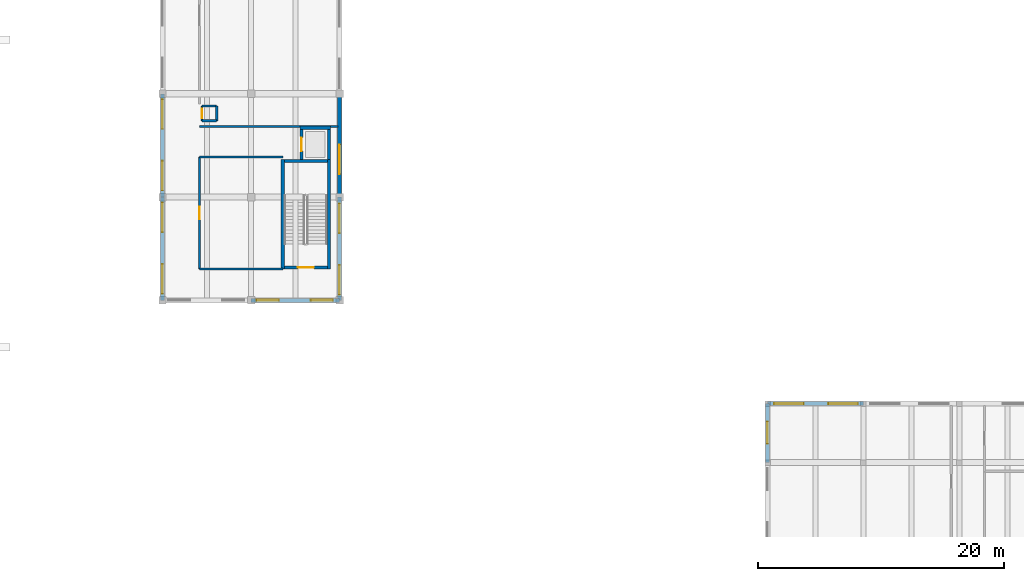
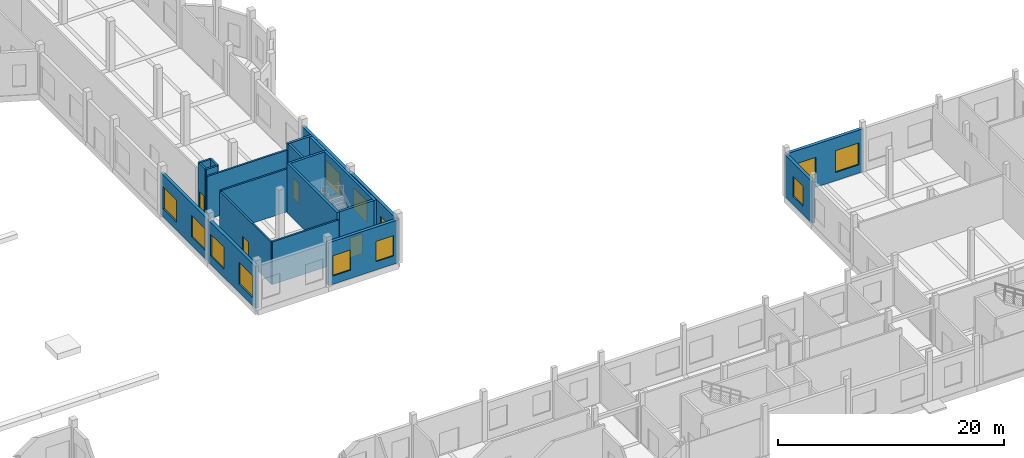
# One storey, part 21 of 41: 22 walls, 12 windows, 4 doors, 16 openings.
"""IFC4 building model written with IfcOpenShell, lengths in metres."""

from ifc_helpers import new_model, si_unit, direction, frame, frame_2d, origin, place, context, subcontext, project, spatial, rectangle, extrude, material, layer, layer_set, type_object, element, fill, save


model = new_model("IFC4")

# Units and contexts
model_context = context("Model", 3, precision=1e-05, world=origin(), true_north=direction((0.0, 1.0)))
body_context = subcontext(model_context, "Body", "Model", "MODEL_VIEW")
ifc_project = project(units=[si_unit("LENGTHUNIT", "METRE"), si_unit("AREAUNIT", "SQUARE_METRE"), si_unit("VOLUMEUNIT", "CUBIC_METRE"), si_unit("PLANEANGLEUNIT", "RADIAN"), si_unit("MASSUNIT", "GRAM", prefix="KILO")], contexts=[model_context])

# Site, building, storey
site_placement = place(None, origin())
site = spatial("IfcSite", under=ifc_project, at=site_placement, CompositionType="ELEMENT")
building_placement = place(site_placement, origin())
building = spatial("IfcBuilding", under=site, at=building_placement, Name="Kahlenmark Community Centre", CompositionType="ELEMENT")
storey_placement = place(building_placement, origin())
storey = spatial("IfcBuildingStorey", under=building, at=storey_placement, Name="L00", CompositionType="ELEMENT", Elevation=0.0)

# Wall, opening, door
ifc_material_1 = material(Name="Concrete C35/45", Category="concrete")
ifc_layer_1 = layer(ifc_material_1, 0.25)
ifc_layer_set_1 = layer_set([ifc_layer_1], Name="Concrete C35/45")
wall_type_1 = type_object("IfcWallType", Name="WT-CORE-250", PredefinedType="SHEAR", material=ifc_layer_set_1)
wall_1_placement = place(storey_placement, frame((82.300048828125, 53.47509765625, 0.0), z_axis=(0.0, 0.0, 1.0), x_axis=(1.0, 0.0, 0.0)))
wall_1 = element("IfcWall", 1, at=wall_1_placement, inside=storey, type_object=wall_type_1, Name="Core K6 shear wall WL-CORE-K6-L00-0204", PredefinedType="SHEAR", context=body_context, shape_type="SweptSolid", body=[
    extrude(rectangle(XDim=3.5, YDim=0.25, at=frame_2d((1.75, 0.0))), origin(), (0.0, 0.0, 1.0), 5.39990234375),
])
opening_1_placement = place(wall_1_placement, frame((1.10009765625, 0.0, -0.010009765625)))
opening_1 = element("IfcOpeningElement", 2, at=opening_1_placement, cuts=wall_1, Name="Opening FD-K6-L00", PredefinedType="OPENING", context=body_context, shape_type="SweptSolid", body=[
    extrude(rectangle(XDim=1.300048828125, YDim=2.159912109375, at=frame_2d((0.64990234375, 1.080078125))), frame((0.0, 0.135009765625, 0.0), z_axis=(0.0, -1.0, 0.0), x_axis=(1.0, 0.0, 0.0)), (0.0, 0.0, 1.0), 0.27001953125),
])
ifc_material_2 = material(Name="Fire-rated steel-framed timber door FD60S", Category="steel")
door_type_1 = type_object("IfcDoorType", Name="DT-FD-K6-L00", OperationType="NOTDEFINED", PredefinedType="DOOR", material=ifc_material_2)
door_1_placement = place(opening_1_placement, frame((0.0, 0.0, 0.010009765625)))
door_1 = element("IfcDoor", 3, at=door_1_placement, inside=storey, type_object=door_type_1, Name="Core K6 stair fire door L00", OperationType="SINGLE_SWING_RIGHT", OverallHeight=2.14990234375, OverallWidth=1.300048828125, PredefinedType="DOOR", context=body_context, shape_type="SweptSolid", body=[
    extrude(rectangle(XDim=1.300048828125, YDim=2.14990234375, at=frame_2d((0.64990234375, 1.074951171875))), frame((0.0, 0.02490234375, 0.0), z_axis=(0.0, -1.0, 0.0), x_axis=(1.0, 0.0, 0.0)), (0.0, 0.0, 1.0), 0.050048828125),
])
fill(opening_1, door_1)

# Walls
wall_2_placement = place(storey_placement, frame((82.175048828125, 53.35009765625, 0.0), z_axis=(0.0, 0.0, 1.0), x_axis=(0.0, 1.0, 0.0)))
element("IfcWall", 4, at=wall_2_placement, inside=storey, type_object=wall_type_1, Name="Core K6 shear wall WL-CORE-K6-L00-0205", PredefinedType="SHEAR", context=body_context, shape_type="SweptSolid", body=[
    extrude(rectangle(XDim=8.89990234375, YDim=0.25, at=frame_2d((4.449951171875, 0.0))), origin(), (0.0, 0.0, 1.0), 5.39990234375),
])
wall_3_placement = place(storey_placement, frame((85.800048828125, 62.125, 0.0), z_axis=(0.0, 0.0, 1.0), x_axis=(-1.0, 0.0, 0.0)))
element("IfcWall", 5, at=wall_3_placement, inside=storey, type_object=wall_type_1, Name="Core K6 shear wall WL-CORE-K6-L00-0206", PredefinedType="SHEAR", context=body_context, shape_type="SweptSolid", body=[
    extrude(rectangle(XDim=3.5, YDim=0.25, at=frame_2d((1.75, 0.0))), origin(), (0.0, 0.0, 1.0), 5.39990234375),
])
wall_4_placement = place(storey_placement, frame((85.925048828125, 53.35009765625, 0.0), z_axis=(0.0, 0.0, 1.0), x_axis=(0.0, 1.0, 0.0)))
element("IfcWall", 6, at=wall_4_placement, inside=storey, type_object=wall_type_1, Name="Core K6 shear wall WL-CORE-K6-L00-0207", PredefinedType="SHEAR", context=body_context, shape_type="SweptSolid", body=[
    extrude(rectangle(XDim=8.89990234375, YDim=0.25, at=frame_2d((4.449951171875, 0.0))), origin(), (0.0, 0.0, 1.0), 5.39990234375),
])
wall_5_placement = place(storey_placement, frame((83.590087890625, 64.8349609375, 0.0), z_axis=(0.0, 0.0, 1.0), x_axis=(1.0, 0.0, 0.0)))
element("IfcWall", 7, at=wall_5_placement, inside=storey, type_object=wall_type_1, Name="Core K6 shear wall WL-CORE-K6-L00-0208", PredefinedType="SHEAR", context=body_context, shape_type="SweptSolid", body=[
    extrude(rectangle(XDim=2.4599609375, YDim=0.25, at=frame_2d((1.22998046875, 0.0))), origin(), (0.0, 0.0, 1.0), 5.39990234375),
])

# Wall, opening, door
wall_6_placement = place(storey_placement, frame((83.715087890625, 62.25, 0.0), z_axis=(0.0, 0.0, 1.0), x_axis=(0.0, 1.0, 0.0)))
wall_6 = element("IfcWall", 8, at=wall_6_placement, inside=storey, type_object=wall_type_1, Name="Core K6 shear wall WL-CORE-K6-L00-0209", PredefinedType="SHEAR", context=body_context, shape_type="SweptSolid", body=[
    extrude(rectangle(XDim=2.4599609375, YDim=0.25, at=frame_2d((1.22998046875, 0.0))), origin(), (0.0, 0.0, 1.0), 5.39990234375),
])
opening_2_placement = place(wall_6_placement, frame((0.679931640625, 0.0, -0.010009765625)))
opening_2 = element("IfcOpeningElement", 9, at=opening_2_placement, cuts=wall_6, Name="Opening LD-6", PredefinedType="OPENING", context=body_context, shape_type="SweptSolid", body=[
    extrude(rectangle(XDim=1.10009765625, YDim=2.159912109375, at=frame_2d((0.550048828125, 1.080078125))), frame((0.0, 0.135009765625, 0.0), z_axis=(0.0, -1.0, 0.0), x_axis=(1.0, 0.0, 0.0)), (0.0, 0.0, 1.0), 0.27001953125),
])
ifc_material_3 = material(Name="Brushed stainless steel sliding lift landing door", Category="steel")
door_type_2 = type_object("IfcDoorType", Name="DT-LD-K6", OperationType="SLIDING_TO_LEFT", PredefinedType="DOOR", material=ifc_material_3)
door_2_placement = place(opening_2_placement, frame((0.0, 0.0, 0.010009765625)))
door_2 = element("IfcDoor", 10, at=door_2_placement, inside=storey, type_object=door_type_2, Name="Lift LF-06 sliding landing door L00", OperationType="SLIDING_TO_LEFT", OverallHeight=2.14990234375, OverallWidth=1.10009765625, PredefinedType="DOOR", context=body_context, shape_type="SweptSolid", body=[
    extrude(rectangle(XDim=1.10009765625, YDim=2.14990234375, at=frame_2d((0.550048828125, 1.074951171875))), frame((0.0, 0.02490234375, 0.0), z_axis=(0.0, -1.0, 0.0), x_axis=(1.0, 0.0, 0.0)), (0.0, 0.0, 1.0), 0.050048828125),
])
fill(opening_2, door_2)

# Wall
wall_7_placement = place(storey_placement, frame((85.925048828125, 62.25, 0.0), z_axis=(0.0, 0.0, 1.0), x_axis=(0.0, 1.0, 0.0)))
element("IfcWall", 11, at=wall_7_placement, inside=storey, type_object=wall_type_1, Name="Core K6 shear wall WL-CORE-K6-L00-0210", PredefinedType="SHEAR", context=body_context, shape_type="SweptSolid", body=[
    extrude(rectangle(XDim=2.7099609375, YDim=0.25, at=frame_2d((1.35498046875, 0.0))), origin(), (0.0, 0.0, 1.0), 5.39990234375),
])

# Wall, openings, windows
ifc_material_4 = material(Name="Danube limestone masonry", Category="masonry")
ifc_layer_2 = layer(ifc_material_4, 0.320068359375)
ifc_layer_set_2 = layer_set([ifc_layer_2], Name="Danube limestone masonry")
wall_type_2 = type_object("IfcWallType", Name="WT-EW-320", PredefinedType="SOLIDWALL", material=ifc_layer_set_2)
wall_8_placement = place(storey_placement, frame((79.60009765625, 50.800048828125, 0.0), z_axis=(0.0, 0.0, 1.0), x_axis=(1.0, 0.0, 0.0)))
wall_8 = element("IfcWall", 12, at=wall_8_placement, inside=storey, type_object=wall_type_2, Name="Exterior wall WL-EXT-L00-0203", PredefinedType="SOLIDWALL", context=body_context, shape_type="SweptSolid", body=[
    extrude(rectangle(XDim=7.199951171875, YDim=0.320068359375, at=frame_2d((3.60009765625, 0.0))), origin(), (0.0, 0.0, 1.0), 4.639892578125),
])
opening_3_placement = place(wall_8_placement, frame((0.4599609375, 0.0, 0.89990234375)))
opening_3 = element("IfcOpeningElement", 13, at=opening_3_placement, cuts=wall_8, Name="Opening W-180X220", PredefinedType="OPENING", context=body_context, shape_type="SweptSolid", body=[
    extrude(rectangle(XDim=1.800048828125, YDim=2.199951171875, at=frame_2d((0.89990234375, 1.10009765625))), frame((0.0, 0.169921875, 0.0), z_axis=(0.0, -1.0, 0.0), x_axis=(1.0, 0.0, 0.0)), (0.0, 0.0, 1.0), 0.340087890625),
])
opening_4_placement = place(wall_8_placement, frame((4.860107421875, 0.0, 0.89990234375)))
opening_4 = element("IfcOpeningElement", 14, at=opening_4_placement, cuts=wall_8, Name="Opening W-180X220", PredefinedType="OPENING", context=body_context, shape_type="SweptSolid", body=[
    extrude(rectangle(XDim=1.800048828125, YDim=2.199951171875, at=frame_2d((0.89990234375, 1.10009765625))), frame((0.0, 0.169921875, 0.0), z_axis=(0.0, -1.0, 0.0), x_axis=(1.0, 0.0, 0.0)), (0.0, 0.0, 1.0), 0.340087890625),
])
ifc_material_5 = material(Name="Triple low-e insulated glazing in timber-aluminium frame", Category="wood")
window_type_1 = type_object("IfcWindowType", Name="WNT-180X220", PartitioningType="DOUBLE_PANEL_VERTICAL", PredefinedType="WINDOW", material=ifc_material_5)
window_1_placement = place(opening_3_placement, origin())
window_1 = element("IfcWindow", 15, at=window_1_placement, inside=storey, type_object=window_type_1, Name="Window W-180X220 #0101", OverallHeight=2.199951171875, OverallWidth=1.800048828125, PartitioningType="DOUBLE_PANEL_VERTICAL", PredefinedType="WINDOW", context=body_context, shape_type="SweptSolid", body=[
    extrude(rectangle(XDim=1.800048828125, YDim=2.199951171875, at=frame_2d((0.89990234375, 1.10009765625))), frame((0.0, 0.030029296875, 0.0), z_axis=(0.0, -1.0, 0.0), x_axis=(1.0, 0.0, 0.0)), (0.0, 0.0, 1.0), 0.06005859375),
])
fill(opening_3, window_1)
window_2_placement = place(opening_4_placement, origin())
window_2 = element("IfcWindow", 16, at=window_2_placement, inside=storey, type_object=window_type_1, Name="Window W-180X220 #0102", OverallHeight=2.199951171875, OverallWidth=1.800048828125, PartitioningType="DOUBLE_PANEL_VERTICAL", PredefinedType="WINDOW", context=body_context, shape_type="SweptSolid", body=[
    extrude(rectangle(XDim=1.800048828125, YDim=2.199951171875, at=frame_2d((0.89990234375, 1.10009765625))), frame((0.0, 0.030029296875, 0.0), z_axis=(0.0, -1.0, 0.0), x_axis=(1.0, 0.0, 0.0)), (0.0, 0.0, 1.0), 0.06005859375),
])
fill(opening_4, window_2)

wall_9_placement = place(storey_placement, frame((72.39990234375, 59.199951171875, 0.0), z_axis=(0.0, 0.0, 1.0), x_axis=(0.0, -1.0, 0.0)))
wall_9 = element("IfcWall", 17, at=wall_9_placement, inside=storey, type_object=wall_type_2, Name="Exterior wall WL-EXT-L00-0204", PredefinedType="SOLIDWALL", context=body_context, shape_type="SweptSolid", body=[
    extrude(rectangle(XDim=8.39990234375, YDim=0.320068359375, at=frame_2d((4.199951171875, 0.0))), origin(), (0.0, 0.0, 1.0), 4.5400390625),
])
opening_5_placement = place(wall_9_placement, frame((0.4599609375, 0.0, 0.89990234375)))
opening_5 = element("IfcOpeningElement", 18, at=opening_5_placement, cuts=wall_9, Name="Opening W-240X235", PredefinedType="OPENING", context=body_context, shape_type="SweptSolid", body=[
    extrude(rectangle(XDim=2.39990234375, YDim=2.35009765625, at=frame_2d((1.199951171875, 1.175048828125))), frame((0.0, 0.169921875, 0.0), z_axis=(0.0, -1.0, 0.0), x_axis=(1.0, 0.0, 0.0)), (0.0, 0.0, 1.0), 0.340087890625),
])
opening_6_placement = place(wall_9_placement, frame((5.4599609375, 0.0, 0.89990234375)))
opening_6 = element("IfcOpeningElement", 19, at=opening_6_placement, cuts=wall_9, Name="Opening W-240X235", PredefinedType="OPENING", context=body_context, shape_type="SweptSolid", body=[
    extrude(rectangle(XDim=2.39990234375, YDim=2.35009765625, at=frame_2d((1.199951171875, 1.175048828125))), frame((0.0, 0.169921875, 0.0), z_axis=(0.0, -1.0, 0.0), x_axis=(1.0, 0.0, 0.0)), (0.0, 0.0, 1.0), 0.340087890625),
])
window_type_2 = type_object("IfcWindowType", Name="WNT-240X235", PartitioningType="TRIPLE_PANEL_VERTICAL", PredefinedType="WINDOW", material=ifc_material_5)
window_3_placement = place(opening_5_placement, origin())
window_3 = element("IfcWindow", 20, at=window_3_placement, inside=storey, type_object=window_type_2, Name="Window W-240X235 #0103", OverallHeight=2.35009765625, OverallWidth=2.39990234375, PartitioningType="TRIPLE_PANEL_VERTICAL", PredefinedType="WINDOW", context=body_context, shape_type="SweptSolid", body=[
    extrude(rectangle(XDim=2.39990234375, YDim=2.35009765625, at=frame_2d((1.199951171875, 1.175048828125))), frame((0.0, 0.030029296875, 0.0), z_axis=(0.0, -1.0, 0.0), x_axis=(1.0, 0.0, 0.0)), (0.0, 0.0, 1.0), 0.06005859375),
])
fill(opening_5, window_3)
window_4_placement = place(opening_6_placement, origin())
window_4 = element("IfcWindow", 21, at=window_4_placement, inside=storey, type_object=window_type_2, Name="Window W-240X235 #0104", OverallHeight=2.35009765625, OverallWidth=2.39990234375, PartitioningType="TRIPLE_PANEL_VERTICAL", PredefinedType="WINDOW", context=body_context, shape_type="SweptSolid", body=[
    extrude(rectangle(XDim=2.39990234375, YDim=2.35009765625, at=frame_2d((1.199951171875, 1.175048828125))), frame((0.0, 0.030029296875, 0.0), z_axis=(0.0, -1.0, 0.0), x_axis=(1.0, 0.0, 0.0)), (0.0, 0.0, 1.0), 0.06005859375),
])
fill(opening_6, window_4)

wall_10_placement = place(storey_placement, frame((72.39990234375, 67.60009765625, 0.0), z_axis=(0.0, 0.0, 1.0), x_axis=(0.0, -1.0, 0.0)))
wall_10 = element("IfcWall", 22, at=wall_10_placement, inside=storey, type_object=wall_type_2, Name="Exterior wall WL-EXT-L00-0205", PredefinedType="SOLIDWALL", context=body_context, shape_type="SweptSolid", body=[
    extrude(rectangle(XDim=8.400146484375, YDim=0.320068359375, at=frame_2d((4.2001953125, 0.0))), origin(), (0.0, 0.0, 1.0), 4.5400390625),
])
opening_7_placement = place(wall_10_placement, frame((0.4599609375, 0.0, 0.89990234375)))
opening_7 = element("IfcOpeningElement", 23, at=opening_7_placement, cuts=wall_10, Name="Opening W-240X235", PredefinedType="OPENING", context=body_context, shape_type="SweptSolid", body=[
    extrude(rectangle(XDim=2.39990234375, YDim=2.35009765625, at=frame_2d((1.199951171875, 1.175048828125))), frame((0.0, 0.169921875, 0.0), z_axis=(0.0, -1.0, 0.0), x_axis=(1.0, 0.0, 0.0)), (0.0, 0.0, 1.0), 0.340087890625),
])
opening_8_placement = place(wall_10_placement, frame((5.4599609375, 0.0, 0.89990234375)))
opening_8 = element("IfcOpeningElement", 24, at=opening_8_placement, cuts=wall_10, Name="Opening W-240X235", PredefinedType="OPENING", context=body_context, shape_type="SweptSolid", body=[
    extrude(rectangle(XDim=2.39990234375, YDim=2.35009765625, at=frame_2d((1.199951171875, 1.175048828125))), frame((0.0, 0.169921875, 0.0), z_axis=(0.0, -1.0, 0.0), x_axis=(1.0, 0.0, 0.0)), (0.0, 0.0, 1.0), 0.340087890625),
])
window_5_placement = place(opening_7_placement, origin())
window_5 = element("IfcWindow", 25, at=window_5_placement, inside=storey, type_object=window_type_2, Name="Window W-240X235 #0105", OverallHeight=2.35009765625, OverallWidth=2.39990234375, PartitioningType="TRIPLE_PANEL_VERTICAL", PredefinedType="WINDOW", context=body_context, shape_type="SweptSolid", body=[
    extrude(rectangle(XDim=2.39990234375, YDim=2.35009765625, at=frame_2d((1.199951171875, 1.175048828125))), frame((0.0, 0.030029296875, 0.0), z_axis=(0.0, -1.0, 0.0), x_axis=(1.0, 0.0, 0.0)), (0.0, 0.0, 1.0), 0.06005859375),
])
fill(opening_7, window_5)
window_6_placement = place(opening_8_placement, origin())
window_6 = element("IfcWindow", 26, at=window_6_placement, inside=storey, type_object=window_type_2, Name="Window W-240X235 #0106", OverallHeight=2.35009765625, OverallWidth=2.39990234375, PartitioningType="TRIPLE_PANEL_VERTICAL", PredefinedType="WINDOW", context=body_context, shape_type="SweptSolid", body=[
    extrude(rectangle(XDim=2.39990234375, YDim=2.35009765625, at=frame_2d((1.199951171875, 1.175048828125))), frame((0.0, 0.030029296875, 0.0), z_axis=(0.0, -1.0, 0.0), x_axis=(1.0, 0.0, 0.0)), (0.0, 0.0, 1.0), 0.06005859375),
])
fill(opening_8, window_6)

wall_11_placement = place(storey_placement, frame((86.800048828125, 50.800048828125, 0.0), z_axis=(0.0, 0.0, 1.0), x_axis=(0.0, 1.0, 0.0)))
wall_11 = element("IfcWall", 27, at=wall_11_placement, inside=storey, type_object=wall_type_2, Name="Exterior wall WL-EXT-L00-0209", PredefinedType="SOLIDWALL", context=body_context, shape_type="SweptSolid", body=[
    extrude(rectangle(XDim=8.39990234375, YDim=0.320068359375, at=frame_2d((4.199951171875, 0.0))), origin(), (0.0, 0.0, 1.0), 4.639892578125),
])
opening_9_placement = place(wall_11_placement, frame((0.4599609375, 0.0, 0.89990234375)))
opening_9 = element("IfcOpeningElement", 28, at=opening_9_placement, cuts=wall_11, Name="Opening W-240X235", PredefinedType="OPENING", context=body_context, shape_type="SweptSolid", body=[
    extrude(rectangle(XDim=2.39990234375, YDim=2.35009765625, at=frame_2d((1.199951171875, 1.175048828125))), frame((0.0, 0.169921875, 0.0), z_axis=(0.0, -1.0, 0.0), x_axis=(1.0, 0.0, 0.0)), (0.0, 0.0, 1.0), 0.340087890625),
])
opening_10_placement = place(wall_11_placement, frame((5.4599609375, 0.0, 0.89990234375)))
opening_10 = element("IfcOpeningElement", 29, at=opening_10_placement, cuts=wall_11, Name="Opening W-240X235", PredefinedType="OPENING", context=body_context, shape_type="SweptSolid", body=[
    extrude(rectangle(XDim=2.39990234375, YDim=2.35009765625, at=frame_2d((1.199951171875, 1.175048828125))), frame((0.0, 0.169921875, 0.0), z_axis=(0.0, -1.0, 0.0), x_axis=(1.0, 0.0, 0.0)), (0.0, 0.0, 1.0), 0.340087890625),
])
window_7_placement = place(opening_9_placement, origin())
window_7 = element("IfcWindow", 30, at=window_7_placement, inside=storey, type_object=window_type_2, Name="Window W-240X235 #0111", OverallHeight=2.35009765625, OverallWidth=2.39990234375, PartitioningType="TRIPLE_PANEL_VERTICAL", PredefinedType="WINDOW", context=body_context, shape_type="SweptSolid", body=[
    extrude(rectangle(XDim=2.39990234375, YDim=2.35009765625, at=frame_2d((1.199951171875, 1.175048828125))), frame((0.0, 0.030029296875, 0.0), z_axis=(0.0, -1.0, 0.0), x_axis=(1.0, 0.0, 0.0)), (0.0, 0.0, 1.0), 0.06005859375),
])
fill(opening_9, window_7)
window_8_placement = place(opening_10_placement, origin())
window_8 = element("IfcWindow", 31, at=window_8_placement, inside=storey, type_object=window_type_2, Name="Window W-240X235 #0112", OverallHeight=2.35009765625, OverallWidth=2.39990234375, PartitioningType="TRIPLE_PANEL_VERTICAL", PredefinedType="WINDOW", context=body_context, shape_type="SweptSolid", body=[
    extrude(rectangle(XDim=2.39990234375, YDim=2.35009765625, at=frame_2d((1.199951171875, 1.175048828125))), frame((0.0, 0.030029296875, 0.0), z_axis=(0.0, -1.0, 0.0), x_axis=(1.0, 0.0, 0.0)), (0.0, 0.0, 1.0), 0.06005859375),
])
fill(opening_10, window_8)

# Wall, opening, window
wall_12_placement = place(storey_placement, frame((86.800048828125, 59.199951171875, 0.0), z_axis=(0.0, 0.0, 1.0), x_axis=(0.0, 1.0, 0.0)))
wall_12 = element("IfcWall", 32, at=wall_12_placement, inside=storey, type_object=wall_type_2, Name="Exterior wall WL-EXT-L00-0210", PredefinedType="SOLIDWALL", context=body_context, shape_type="SweptSolid", body=[
    extrude(rectangle(XDim=8.400146484375, YDim=0.320068359375, at=frame_2d((4.2001953125, 0.0))), origin(), (0.0, 0.0, 1.0), 4.5400390625),
])
opening_11_placement = place(wall_12_placement, frame((1.860107421875, 0.0, 0.89990234375)))
opening_11 = element("IfcOpeningElement", 33, at=opening_11_placement, cuts=wall_12, Name="Opening W-240X235", PredefinedType="OPENING", context=body_context, shape_type="SweptSolid", body=[
    extrude(rectangle(XDim=2.39990234375, YDim=2.35009765625, at=frame_2d((1.199951171875, 1.175048828125))), frame((0.0, 0.169921875, 0.0), z_axis=(0.0, -1.0, 0.0), x_axis=(1.0, 0.0, 0.0)), (0.0, 0.0, 1.0), 0.340087890625),
])
window_9_placement = place(opening_11_placement, origin())
window_9 = element("IfcWindow", 34, at=window_9_placement, inside=storey, type_object=window_type_2, Name="Window W-240X235 #0113", OverallHeight=2.35009765625, OverallWidth=2.39990234375, PartitioningType="TRIPLE_PANEL_VERTICAL", PredefinedType="WINDOW", context=body_context, shape_type="SweptSolid", body=[
    extrude(rectangle(XDim=2.39990234375, YDim=2.35009765625, at=frame_2d((1.199951171875, 1.175048828125))), frame((0.0, 0.030029296875, 0.0), z_axis=(0.0, -1.0, 0.0), x_axis=(1.0, 0.0, 0.0)), (0.0, 0.0, 1.0), 0.06005859375),
])
fill(opening_11, window_9)

# Wall, openings, windows
wall_13_placement = place(storey_placement, frame((129.39990234375, 42.39990234375, 0.0), z_axis=(0.0, 0.0, 1.0), x_axis=(-1.0, 0.0, 0.0)))
wall_13 = element("IfcWall", 35, at=wall_13_placement, inside=storey, type_object=wall_type_2, Name="Exterior wall WL-EXT-L00-0230", PredefinedType="SOLIDWALL", context=body_context, shape_type="SweptSolid", body=[
    extrude(rectangle(XDim=7.7998046875, YDim=0.320068359375, at=frame_2d((3.89990234375, 0.0))), origin(), (0.0, 0.0, 1.0), 4.639892578125),
])
opening_12_placement = place(wall_13_placement, frame((0.4599609375, 0.0, 0.89990234375)))
opening_12 = element("IfcOpeningElement", 36, at=opening_12_placement, cuts=wall_13, Name="Opening W-240X235", PredefinedType="OPENING", context=body_context, shape_type="SweptSolid", body=[
    extrude(rectangle(XDim=2.39990234375, YDim=2.35009765625, at=frame_2d((1.199951171875, 1.175048828125))), frame((0.0, 0.169921875, 0.0), z_axis=(0.0, -1.0, 0.0), x_axis=(1.0, 0.0, 0.0)), (0.0, 0.0, 1.0), 0.340087890625),
])
opening_13_placement = place(wall_13_placement, frame((4.860107421875, 0.0, 0.89990234375)))
opening_13 = element("IfcOpeningElement", 37, at=opening_13_placement, cuts=wall_13, Name="Opening W-240X235", PredefinedType="OPENING", context=body_context, shape_type="SweptSolid", body=[
    extrude(rectangle(XDim=2.39990234375, YDim=2.35009765625, at=frame_2d((1.199951171875, 1.175048828125))), frame((0.0, 0.169921875, 0.0), z_axis=(0.0, -1.0, 0.0), x_axis=(1.0, 0.0, 0.0)), (0.0, 0.0, 1.0), 0.340087890625),
])
window_10_placement = place(opening_12_placement, origin())
window_10 = element("IfcWindow", 38, at=window_10_placement, inside=storey, type_object=window_type_2, Name="Window W-240X235 #0146", OverallHeight=2.35009765625, OverallWidth=2.39990234375, PartitioningType="TRIPLE_PANEL_VERTICAL", PredefinedType="WINDOW", context=body_context, shape_type="SweptSolid", body=[
    extrude(rectangle(XDim=2.39990234375, YDim=2.35009765625, at=frame_2d((1.199951171875, 1.175048828125))), frame((0.0, 0.030029296875, 0.0), z_axis=(0.0, -1.0, 0.0), x_axis=(1.0, 0.0, 0.0)), (0.0, 0.0, 1.0), 0.06005859375),
])
fill(opening_12, window_10)
window_11_placement = place(opening_13_placement, origin())
window_11 = element("IfcWindow", 39, at=window_11_placement, inside=storey, type_object=window_type_2, Name="Window W-240X235 #0147", OverallHeight=2.35009765625, OverallWidth=2.39990234375, PartitioningType="TRIPLE_PANEL_VERTICAL", PredefinedType="WINDOW", context=body_context, shape_type="SweptSolid", body=[
    extrude(rectangle(XDim=2.39990234375, YDim=2.35009765625, at=frame_2d((1.199951171875, 1.175048828125))), frame((0.0, 0.030029296875, 0.0), z_axis=(0.0, -1.0, 0.0), x_axis=(1.0, 0.0, 0.0)), (0.0, 0.0, 1.0), 0.06005859375),
])
fill(opening_13, window_11)

# Wall, opening, window
wall_14_placement = place(storey_placement, frame((121.60009765625, 42.39990234375, 0.0), z_axis=(0.0, 0.0, 1.0), x_axis=(0.0, -1.0, 0.0)))
wall_14 = element("IfcWall", 40, at=wall_14_placement, inside=storey, type_object=wall_type_2, Name="Exterior wall WL-EXT-L00-0235", PredefinedType="SOLIDWALL", context=body_context, shape_type="SweptSolid", body=[
    extrude(rectangle(XDim=4.7998046875, YDim=0.320068359375, at=frame_2d((2.39990234375, 0.0))), origin(), (0.0, 0.0, 1.0), 4.5400390625),
])
opening_14_placement = place(wall_14_placement, frame((1.4599609375, 0.0, 0.89990234375)))
opening_14 = element("IfcOpeningElement", 41, at=opening_14_placement, cuts=wall_14, Name="Opening W-180X220", PredefinedType="OPENING", context=body_context, shape_type="SweptSolid", body=[
    extrude(rectangle(XDim=1.800048828125, YDim=2.199951171875, at=frame_2d((0.89990234375, 1.10009765625))), frame((0.0, 0.169921875, 0.0), z_axis=(0.0, -1.0, 0.0), x_axis=(1.0, 0.0, 0.0)), (0.0, 0.0, 1.0), 0.340087890625),
])
window_12_placement = place(opening_14_placement, origin())
window_12 = element("IfcWindow", 42, at=window_12_placement, inside=storey, type_object=window_type_1, Name="Window W-180X220 #0153", OverallHeight=2.199951171875, OverallWidth=1.800048828125, PartitioningType="DOUBLE_PANEL_VERTICAL", PredefinedType="WINDOW", context=body_context, shape_type="SweptSolid", body=[
    extrude(rectangle(XDim=1.800048828125, YDim=2.199951171875, at=frame_2d((0.89990234375, 1.10009765625))), frame((0.0, 0.030029296875, 0.0), z_axis=(0.0, -1.0, 0.0), x_axis=(1.0, 0.0, 0.0)), (0.0, 0.0, 1.0), 0.06005859375),
])
fill(opening_14, window_12)

# Wall
ifc_material_6 = material(Name="Gypsum plasterboard partition", Category="gypsum")
ifc_layer_3 = layer(ifc_material_6, 0.179931640625)
ifc_layer_set_3 = layer_set([ifc_layer_3], Name="Gypsum plasterboard partition")
wall_type_3 = type_object("IfcWallType", Name="WT-PW-180", PredefinedType="PARTITIONING", material=ifc_layer_set_3)
wall_15_placement = place(storey_placement, frame((75.39990234375, 53.35009765625, 0.0), z_axis=(0.0, 0.0, 1.0), x_axis=(1.0, 0.0, 0.0)))
element("IfcWall", 43, at=wall_15_placement, inside=storey, type_object=wall_type_3, Name="Interior partition WL-INT-L00-0086", PredefinedType="PARTITIONING", context=body_context, shape_type="SweptSolid", body=[
    extrude(rectangle(XDim=6.800048828125, YDim=0.179931640625, at=frame_2d((3.39990234375, 0.0))), origin(), (0.0, 0.0, 1.0), 4.639892578125),
])

# Wall, opening, door
wall_16_placement = place(storey_placement, frame((75.39990234375, 53.35009765625, 0.0), z_axis=(0.0, 0.0, 1.0), x_axis=(0.0, 1.0, 0.0)))
wall_16 = element("IfcWall", 44, at=wall_16_placement, inside=storey, type_object=wall_type_3, Name="Interior partition WL-INT-L00-0087", PredefinedType="PARTITIONING", context=body_context, shape_type="SweptSolid", body=[
    extrude(rectangle(XDim=9.099853515625, YDim=0.179931640625, at=frame_2d((4.5498046875, 0.0))), origin(), (0.0, 0.0, 1.0), 4.5400390625),
])
opening_15_placement = place(wall_16_placement, frame((4.050048828125, 0.0, -0.010009765625)))
opening_15 = element("IfcOpeningElement", 45, at=opening_15_placement, cuts=wall_16, Name="Opening D-L00-053", PredefinedType="OPENING", context=body_context, shape_type="SweptSolid", body=[
    extrude(rectangle(XDim=1.0, YDim=2.159912109375, at=frame_2d((0.5, 1.080078125))), frame((0.0, 0.099853515625, 0.0), z_axis=(0.0, -1.0, 0.0), x_axis=(1.0, 0.0, 0.0)), (0.0, 0.0, 1.0), 0.199951171875),
])
ifc_material_7 = material(Name="Oak timber veneer door leaf", Category="wood")
door_type_3 = type_object("IfcDoorType", Name="DT-INT-100X215", OperationType="NOTDEFINED", PredefinedType="DOOR", material=ifc_material_7)
door_3_placement = place(opening_15_placement, frame((0.0, 0.0, 0.010009765625)))
door_3 = element("IfcDoor", 46, at=door_3_placement, inside=storey, type_object=door_type_3, Name="Interior door D-L00-053", OperationType="SINGLE_SWING_RIGHT", OverallHeight=2.14990234375, OverallWidth=1.0, PredefinedType="DOOR", context=body_context, shape_type="SweptSolid", body=[
    extrude(rectangle(XDim=1.0, YDim=2.14990234375, at=frame_2d((0.5, 1.074951171875))), frame((0.0, 0.02490234375, 0.0), z_axis=(0.0, -1.0, 0.0), x_axis=(1.0, 0.0, 0.0)), (0.0, 0.0, 1.0), 0.050048828125),
])
fill(opening_15, door_3)

# Walls
wall_17_placement = place(storey_placement, frame((75.39990234375, 62.449951171875, 0.0), z_axis=(0.0, 0.0, 1.0), x_axis=(1.0, 0.0, 0.0)))
element("IfcWall", 47, at=wall_17_placement, inside=storey, type_object=wall_type_3, Name="Interior partition WL-INT-L00-0088", PredefinedType="PARTITIONING", context=body_context, shape_type="SweptSolid", body=[
    extrude(rectangle(XDim=6.800048828125, YDim=0.179931640625, at=frame_2d((3.39990234375, 0.0))), origin(), (0.0, 0.0, 1.0), 4.639892578125),
])
wall_18_placement = place(storey_placement, frame((75.39990234375, 64.949951171875, 0.0), z_axis=(0.0, 0.0, 1.0), x_axis=(1.0, 0.0, 0.0)))
element("IfcWall", 48, at=wall_18_placement, inside=storey, type_object=wall_type_3, Name="Interior partition WL-INT-L00-0089", PredefinedType="PARTITIONING", context=body_context, shape_type="SweptSolid", body=[
    extrude(rectangle(XDim=11.25, YDim=0.179931640625, at=frame_2d((5.625, 0.0))), origin(), (0.0, 0.0, 1.0), 4.639892578125),
])
ifc_material_8 = material(Name="Masonry blockwork", Category="masonry")
ifc_layer_4 = layer(ifc_material_8, 0.179931640625)
ifc_layer_set_4 = layer_set([ifc_layer_4], Name="Masonry blockwork")
wall_type_4 = type_object("IfcWallType", Name="WT-RISER-180", PredefinedType="SOLIDWALL", material=ifc_layer_set_4)
wall_19_placement = place(storey_placement, frame((75.60009765625, 65.39990234375, 0.0), z_axis=(0.0, 0.0, 1.0), x_axis=(1.0, 0.0, 0.0)))
element("IfcWall", 49, at=wall_19_placement, inside=storey, type_object=wall_type_4, Name="Riser RS-08 shaft wall L00.1", PredefinedType="SOLIDWALL", context=body_context, shape_type="SweptSolid", body=[
    extrude(rectangle(XDim=1.199951171875, YDim=0.179931640625, at=frame_2d((0.60009765625, 0.0))), origin(), (0.0, 0.0, 1.0), 5.070068359375),
])
wall_20_placement = place(storey_placement, frame((76.800048828125, 65.39990234375, 0.0), z_axis=(0.0, 0.0, 1.0), x_axis=(0.0, 1.0, 0.0)))
element("IfcWall", 50, at=wall_20_placement, inside=storey, type_object=wall_type_4, Name="Riser RS-08 shaft wall L00.2", PredefinedType="SOLIDWALL", context=body_context, shape_type="SweptSolid", body=[
    extrude(rectangle(XDim=1.2001953125, YDim=0.179931640625, at=frame_2d((0.60009765625, 0.0))), origin(), (0.0, 0.0, 1.0), 5.070068359375),
])
wall_21_placement = place(storey_placement, frame((76.800048828125, 66.60009765625, 0.0), z_axis=(0.0, 0.0, 1.0), x_axis=(-1.0, 0.0, 0.0)))
element("IfcWall", 51, at=wall_21_placement, inside=storey, type_object=wall_type_4, Name="Riser RS-08 shaft wall L00.3", PredefinedType="SOLIDWALL", context=body_context, shape_type="SweptSolid", body=[
    extrude(rectangle(XDim=1.199951171875, YDim=0.179931640625, at=frame_2d((0.60009765625, 0.0))), origin(), (0.0, 0.0, 1.0), 5.070068359375),
])

# Wall, opening, door
wall_22_placement = place(storey_placement, frame((75.60009765625, 66.60009765625, 0.0), z_axis=(0.0, 0.0, 1.0), x_axis=(0.0, -1.0, 0.0)))
wall_22 = element("IfcWall", 52, at=wall_22_placement, inside=storey, type_object=wall_type_4, Name="Riser RS-08 shaft wall L00.4", PredefinedType="SOLIDWALL", context=body_context, shape_type="SweptSolid", body=[
    extrude(rectangle(XDim=1.2001953125, YDim=0.179931640625, at=frame_2d((0.60009765625, 0.0))), origin(), (0.0, 0.0, 1.0), 5.070068359375),
])
opening_16_placement = place(wall_22_placement, frame((0.199951171875, 0.0, -0.010009765625)))
opening_16 = element("IfcOpeningElement", 53, at=opening_16_placement, cuts=wall_22, Name="Opening FD-RS80", PredefinedType="OPENING", context=body_context, shape_type="SweptSolid", body=[
    extrude(rectangle(XDim=0.800048828125, YDim=2.06005859375, at=frame_2d((0.39990234375, 1.030029296875))), frame((0.0, 0.099853515625, 0.0), z_axis=(0.0, -1.0, 0.0), x_axis=(1.0, 0.0, 0.0)), (0.0, 0.0, 1.0), 0.199951171875),
])
ifc_material_9 = material(Name="Fire-rated steel service riser door FD60S", Category="steel")
door_type_4 = type_object("IfcDoorType", Name="DT-RISER-80X205", OperationType="NOTDEFINED", PredefinedType="DOOR", material=ifc_material_9)
door_4_placement = place(opening_16_placement, frame((0.0, 0.0, 0.010009765625)))
door_4 = element("IfcDoor", 54, at=door_4_placement, inside=storey, type_object=door_type_4, Name="Riser RS-08 access door L00", OperationType="SINGLE_SWING_LEFT", OverallHeight=2.050048828125, OverallWidth=0.800048828125, PredefinedType="DOOR", context=body_context, shape_type="SweptSolid", body=[
    extrude(rectangle(XDim=0.800048828125, YDim=2.050048828125, at=frame_2d((0.39990234375, 1.02490234375))), frame((0.0, 0.02490234375, 0.0), z_axis=(0.0, -1.0, 0.0), x_axis=(1.0, 0.0, 0.0)), (0.0, 0.0, 1.0), 0.050048828125),
])
fill(opening_16, door_4)

save(model, "model.ifc")
